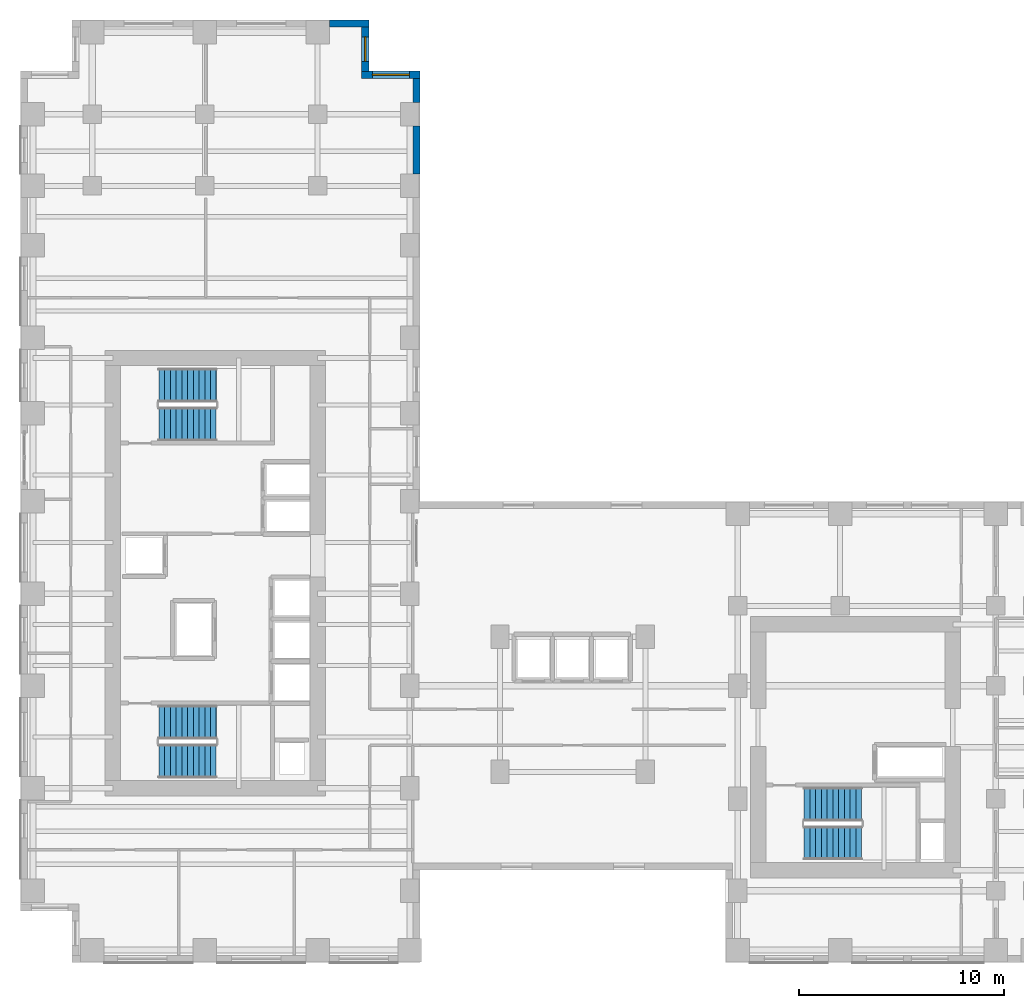
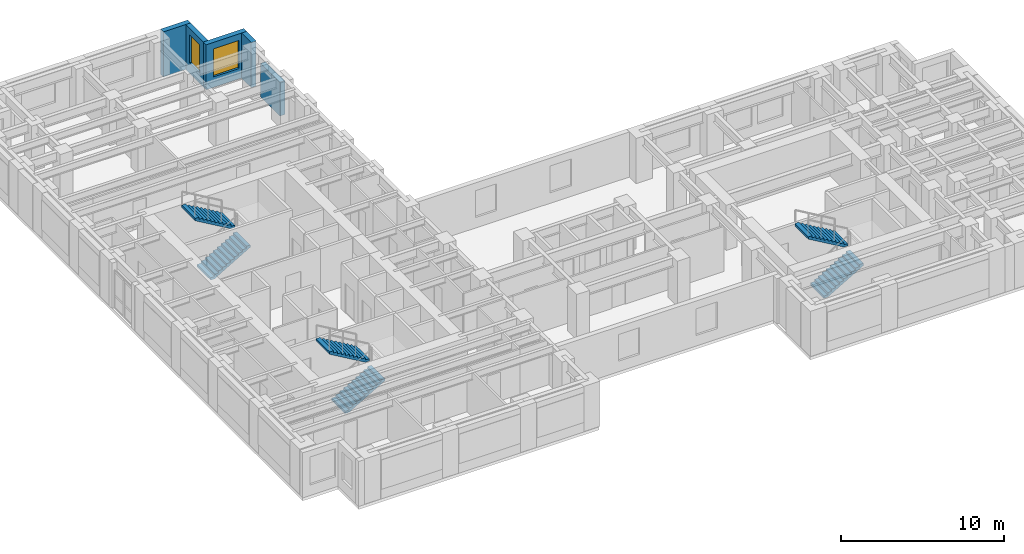
# One storey, part 12 of 14: 6 stair flights, 5 walls, 2 windows, 2 openings, 3 elements without a shape of their own.
"""IFC4 building model written with IfcOpenShell, lengths in metres."""

import ifcopenshell
import ifcopenshell.guid

model = None  # the IFC model being written
_history = None  # IfcOwnerHistory: only IFC2X3 demands one
_inside = {}  # id of a spatial element -> (the spatial element, [elements in it])
_under = {}  # id of a project, library or spatial element -> (it, [spatial elements below it])
_declared = {}  # id of a project -> (the project, [libraries it declares])
_typed = {}  # id of a type object -> (the type object, [elements of that type])
_made_of = {}  # id of a material, layer set ... -> (it, [elements and type objects made of it])


def new_model(schema):
    """Start an empty IFC model of exactly this schema.

    Asked for "IFC4X3", IfcOpenShell would pick the latest addendum, in which some entities
    have other attributes; the version numbers below select the first issue.
    IFC2X3 requires an IfcOwnerHistory on every rooted entity: one is made here for all.
    """
    global model, _history
    if schema == "IFC4X3":
        model = ifcopenshell.file(schema_version=(4, 3, 0, 0))
    else:
        model = ifcopenshell.file(schema=schema)
    _inside.clear()
    _under.clear()
    _declared.clear()
    _typed.clear()
    _made_of.clear()
    _history = None
    if model.schema == "IFC2X3":
        org = make("IfcOrganization", Name="unknown")
        user = make(
            "IfcPersonAndOrganization",
            ThePerson=make("IfcPerson", FamilyName="unknown"),
            TheOrganization=org,
        )
        app = make(
            "IfcApplication",
            ApplicationDeveloper=org,
            Version="unknown",
            ApplicationFullName="unknown",
            ApplicationIdentifier="unknown",
        )
        _history = make(
            "IfcOwnerHistory",
            OwningUser=user,
            OwningApplication=app,
            ChangeAction="ADDED",
            CreationDate=0,
        )
    return model


def make(cls, **values):
    """One entity of the class cls with the attributes given. An attribute that is None is left unset."""
    return model.create_entity(
        cls, **{name: value for name, value in values.items() if value is not None}
    )


def rooted(cls, **values):
    """An entity with a GlobalId (a new one), such as an element, a storey or a relation."""
    return make(cls, GlobalId=ifcopenshell.guid.new(), OwnerHistory=_history, **values)


def si_unit(unit_type, name, prefix=None):
    """IfcSIUnit, for example si_unit("LENGTHUNIT", "METRE", prefix="MILLI")."""
    return make("IfcSIUnit", UnitType=unit_type, Prefix=prefix, Name=name)


def assignment(units):
    """IfcUnitAssignment: the units of a project."""
    return None if units is None else make("IfcUnitAssignment", Units=units)


def point(xyz):
    """IfcCartesianPoint."""
    return None if xyz is None else make("IfcCartesianPoint", Coordinates=xyz)


def direction(xyz):
    """IfcDirection."""
    return None if xyz is None else make("IfcDirection", DirectionRatios=xyz)


def frame(location, z_axis=None, x_axis=None):
    """IfcAxis2Placement3D, a coordinate frame: its origin and axes. An axis left out is left unset."""
    return make(
        "IfcAxis2Placement3D",
        Location=point(location),
        Axis=direction(z_axis),
        RefDirection=direction(x_axis),
    )


def frame_2d(location, x_axis=None):
    """IfcAxis2Placement2D, a coordinate frame in the plane: its origin and x axis."""
    return make(
        "IfcAxis2Placement2D", Location=point(location), RefDirection=direction(x_axis)
    )


def origin():
    """The frame at (0, 0, 0) with its axes left unset."""
    return frame((0.0, 0.0, 0.0))


def place(relative_to, where):
    """IfcLocalPlacement: puts the frame where relative to a parent placement (None: the world)."""
    return make(
        "IfcLocalPlacement", PlacementRelTo=relative_to, RelativePlacement=where
    )


def context(
    kind, dimensions, precision=None, world=None, true_north=None, identifier=None
):
    """IfcGeometricRepresentationContext, for example the 3D "Model" context."""
    return make(
        "IfcGeometricRepresentationContext",
        ContextIdentifier=identifier,
        ContextType=kind,
        CoordinateSpaceDimension=dimensions,
        Precision=precision,
        WorldCoordinateSystem=world,
        TrueNorth=true_north,
    )


def subcontext(parent, identifier, kind, view, scale=None):
    """IfcGeometricRepresentationSubContext, for example "Body" below "Model"."""
    return make(
        "IfcGeometricRepresentationSubContext",
        ContextIdentifier=identifier,
        ContextType=kind,
        ParentContext=parent,
        TargetScale=scale,
        TargetView=view,
    )


def project(units=None, contexts=None):
    """IfcProject with its units and contexts."""
    return rooted(
        "IfcProject",
        Name="project",
        RepresentationContexts=contexts,
        UnitsInContext=assignment(units),
    )


def spatial(cls, under=None, at=None, **own):
    """A site, building, storey or space (cls), placed at a placement, below another one or the project."""
    s = rooted(cls, ObjectPlacement=at, **own)
    if under is not None:
        _under.setdefault(under.id(), (under, []))[1].append(s)
    return s


def polyline(points):
    """IfcPolyline through the points."""
    return make("IfcPolyline", Points=[point(p) for p in points])


def profile(cls, at=None, kind="AREA", **sizes):
    """A parametric profile (cls). Its sizes go by their IFC names, for example OverallWidth=200.0."""
    return make(cls, ProfileType=kind, Position=at, **sizes)


def rectangle(**sizes):
    """IfcRectangleProfileDef."""
    return profile("IfcRectangleProfileDef", **sizes)


def outline(outer, holes=None, kind="AREA"):
    """IfcArbitraryClosedProfileDef: a profile drawn as a closed curve; with holes, ...WithVoids."""
    if holes is None:
        return make("IfcArbitraryClosedProfileDef", ProfileType=kind, OuterCurve=outer)
    return make(
        "IfcArbitraryProfileDefWithVoids",
        ProfileType=kind,
        OuterCurve=outer,
        InnerCurves=holes,
    )


def extrude(swept, where, along, depth):
    """IfcExtrudedAreaSolid: the profile swept, set in the frame where, extruded along a direction by depth."""
    return make(
        "IfcExtrudedAreaSolid",
        SweptArea=swept,
        Position=where,
        ExtrudedDirection=direction(along),
        Depth=depth,
    )


def shape(context_of_items, identifier, shape_type, items):
    """IfcShapeRepresentation: the items that make up one representation, for example the "Body"."""
    return make(
        "IfcShapeRepresentation",
        ContextOfItems=context_of_items,
        RepresentationIdentifier=identifier,
        RepresentationType=shape_type,
        Items=items,
    )


def source(mapping_origin, context_of_items, identifier, shape_type, items):
    """IfcRepresentationMap: a shape defined once, which mapped items show again and again."""
    return make(
        "IfcRepresentationMap",
        MappingOrigin=mapping_origin,
        MappedRepresentation=shape(context_of_items, identifier, shape_type, items),
    )


def transform(
    local_origin,
    x_axis=None,
    y_axis=None,
    z_axis=None,
    scale=None,
    scale2=None,
    scale3=None,
    uniform=True,
):
    """IfcCartesianTransformationOperator3D, or its non-uniform kind. x_axis, y_axis, z_axis: its Axis1, 2, 3."""
    if uniform:
        return make(
            "IfcCartesianTransformationOperator3D",
            Axis1=direction(x_axis),
            Axis2=direction(y_axis),
            LocalOrigin=point(local_origin),
            Scale=scale,
            Axis3=direction(z_axis),
        )
    return make(
        "IfcCartesianTransformationOperator3DnonUniform",
        Axis1=direction(x_axis),
        Axis2=direction(y_axis),
        LocalOrigin=point(local_origin),
        Scale=scale,
        Axis3=direction(z_axis),
        Scale2=scale2,
        Scale3=scale3,
    )


def mapped(mapping_source, mapping_target):
    """IfcMappedItem: shows the shape of a source again, moved by a transform."""
    return make(
        "IfcMappedItem", MappingSource=mapping_source, MappingTarget=mapping_target
    )


def material(Name=None, Category=None):
    """IfcMaterial."""
    return make("IfcMaterial", Name=Name, Category=Category)


def layer(
    of_material, thickness, ventilated=None, Name=None, Category=None, Priority=None
):
    """IfcMaterialLayer: one layer of a wall or slab, of a material (None: an air gap)."""
    return make(
        "IfcMaterialLayer",
        Material=of_material,
        LayerThickness=thickness,
        IsVentilated=ventilated,
        Name=Name,
        Category=Category,
        Priority=Priority,
    )


def layer_set(layers, Name=None):
    """IfcMaterialLayerSet."""
    return make("IfcMaterialLayerSet", MaterialLayers=layers, LayerSetName=Name)


def made_of(thing, what):
    """Note that an element or type object is made of a material, layer set ...; save() writes the relation."""
    if what is not None:
        _made_of.setdefault(what.id(), (what, []))[1].append(thing)
    return thing


def type_object(cls, material=None, **own):
    """A type object (cls), such as IfcWallType, which elements share."""
    return made_of(rooted(cls, **own), material)


def element(
    cls,
    number,
    at=None,
    inside=None,
    cuts=None,
    type_object=None,
    material=None,
    context=None,
    identifier="Body",
    shape_type=None,
    held_by="IfcProductDefinitionShape",
    body=None,
    shapes=None,
    **own,
):
    """One element of the class cls, such as IfcWall. Its Tag is "e" and its number.

    at: its placement. inside: the storey or other place that contains it. cuts: it is an
    opening in that element (IfcRelVoidsElement). A single representation is given by context,
    identifier, shape_type and body (its items); several are given by shapes. held_by: the class
    of the entity that holds the representations. save() writes the other relations.
    """
    e = rooted(cls, Tag="e%d" % number, ObjectPlacement=at, **own)
    if body is not None:
        shapes = [shape(context, identifier, shape_type, body)]
    if shapes is not None:
        e.Representation = make(held_by, Representations=shapes)
    if inside is not None:
        _inside.setdefault(inside.id(), (inside, []))[1].append(e)
    if cuts is not None:
        rooted(
            "IfcRelVoidsElement", RelatingBuildingElement=cuts, RelatedOpeningElement=e
        )
    if type_object is not None:
        _typed.setdefault(type_object.id(), (type_object, []))[1].append(e)
    return made_of(e, material)


def fill(opening, filler):
    """IfcRelFillsElement: the door or window that sits in an opening."""
    return rooted(
        "IfcRelFillsElement",
        RelatingOpeningElement=opening,
        RelatedBuildingElement=filler,
    )


def aggregate(whole, parts):
    """IfcRelAggregates: a whole, such as a stair, and the parts it consists of."""
    return rooted("IfcRelAggregates", RelatingObject=whole, RelatedObjects=parts)


def save(model, path):
    """Write the relations noted so far, then the file.

    IfcRelAggregates (storeys below a building ...), IfcRelContainedInSpatialStructure (elements
    in a storey), IfcRelDefinesByType, IfcRelAssociatesMaterial and IfcRelDeclares: one each for
    every whole, place, type object, material and project.
    """
    for whole, parts in _under.values():
        aggregate(whole, parts)
    for where, things in _inside.values():
        rooted(
            "IfcRelContainedInSpatialStructure",
            RelatedElements=things,
            RelatingStructure=where,
        )
    for kind, things in _typed.values():
        rooted("IfcRelDefinesByType", RelatedObjects=things, RelatingType=kind)
    for what, things in _made_of.values():
        rooted("IfcRelAssociatesMaterial", RelatedObjects=things, RelatingMaterial=what)
    for by, libraries in _declared.values():
        rooted("IfcRelDeclares", RelatingContext=by, RelatedDefinitions=libraries)
    model.write(path)


model = new_model("IFC4")

# Units and contexts
model_context = context("Model", 3, precision=1e-05, world=origin(), true_north=direction((0.0, 1.0)))
body_context = subcontext(model_context, "Body", "Model", "MODEL_VIEW")
ifc_project = project(units=[si_unit("LENGTHUNIT", "METRE"), si_unit("AREAUNIT", "SQUARE_METRE"), si_unit("VOLUMEUNIT", "CUBIC_METRE"), si_unit("PLANEANGLEUNIT", "RADIAN"), si_unit("MASSUNIT", "GRAM", prefix="KILO")], contexts=[model_context])

# Site, building, storey
site_placement = place(None, origin())
site = spatial("IfcSite", under=ifc_project, at=site_placement, CompositionType="ELEMENT")
building_placement = place(site_placement, origin())
building = spatial("IfcBuilding", under=site, at=building_placement, Name="Kharzan Plaza Tower", CompositionType="ELEMENT")
storey_placement = place(building_placement, frame((0.0, 0.0, 81.0)))
storey = spatial("IfcBuildingStorey", under=building, at=storey_placement, Name="L21", CompositionType="ELEMENT", Elevation=81.0)

# Wall, opening, window
ifc_material_1 = material(Name="Concrete C40/50", Category="concrete")
ifc_layer = layer(ifc_material_1, 0.35009765625)
ifc_layer_set = layer_set([ifc_layer], Name="Concrete C40/50")
wall_type = type_object("IfcWallType", Name="WL-EXT-MAS-Z2", PredefinedType="SOLIDWALL", material=ifc_layer_set)
wall_1_placement = place(storey_placement, frame((19.5, 43.324951171875, 0.0), z_axis=(0.0, 0.0, 1.0), x_axis=(-1.0, 0.0, 0.0)))
wall_1 = element("IfcWall", 1, at=wall_1_placement, inside=storey, type_object=wall_type, Name="L21 Masonry-Frame Exterior Wall 01", PredefinedType="SOLIDWALL", context=body_context, shape_type="SweptSolid", body=[
    extrude(rectangle(XDim=2.85009765625, YDim=0.35009765625, at=frame_2d((1.425048828125, 0.0))), origin(), (0.0, 0.0, 1.0), 3.364990234375),
])
opening_1_placement = place(wall_1_placement, frame((0.52490234375, 0.0, 0.780029296875)))
opening_1 = element("IfcOpeningElement", 2, at=opening_1_placement, cuts=wall_1, Name="Opening W1", PredefinedType="OPENING", context=body_context, shape_type="SweptSolid", body=[
    extrude(rectangle(XDim=1.800048828125, YDim=2.10009765625, at=frame_2d((0.89990234375, 1.050048828125))), frame((0.0, 0.18505859375, 0.0), z_axis=(0.0, -1.0, 0.0), x_axis=(1.0, 0.0, 0.0)), (0.0, 0.0, 1.0), 0.3701171875),
])
ifc_material_2 = material(Name="Low-E Double Glazing", Category="glass")
window_type_1 = type_object("IfcWindowType", Name="WN-REC-1800x2100", PartitioningType="SINGLE_PANEL", PredefinedType="WINDOW", material=ifc_material_2)
shared_shape_1 = source(origin(), body_context, "Body", "SweptSolid", [
    extrude(rectangle(XDim=1.800048828125, YDim=2.10009765625, at=frame_2d((0.89990234375, 1.050048828125))), frame((0.0, 0.030029296875, 0.0), z_axis=(0.0, -1.0, 0.0), x_axis=(1.0, 0.0, 0.0)), (0.0, 0.0, 1.0), 0.06005859375),
])
window_1_placement = place(opening_1_placement, origin())
window_1 = element("IfcWindow", 3, at=window_1_placement, inside=storey, type_object=window_type_1, Name="L21 Recessed Solar-Control Window 01-1", OverallHeight=2.10009765625, OverallWidth=1.800048828125, PartitioningType="SINGLE_PANEL", PredefinedType="WINDOW", context=body_context, shape_type="MappedRepresentation", body=[
    mapped(shared_shape_1, transform((0.0, 0.0, 0.0), x_axis=(1.0, 0.0, 0.0), y_axis=(0.0, 1.0, 0.0), z_axis=(0.0, 0.0, 1.0))),
])
fill(opening_1, window_1)

wall_2_placement = place(storey_placement, frame((16.824951171875, 43.498046875, 0.0), z_axis=(0.0, 0.0, 1.0), x_axis=(0.0, 1.0, 0.0)))
wall_2 = element("IfcWall", 4, at=wall_2_placement, inside=storey, type_object=wall_type, Name="L21 Masonry-Frame Exterior Wall 02", PredefinedType="SOLIDWALL", context=body_context, shape_type="SweptSolid", body=[
    extrude(rectangle(XDim=2.154052734375, YDim=0.35009765625, at=frame_2d((1.0771484375, 0.0))), origin(), (0.0, 0.0, 1.0), 3.364990234375),
])
opening_2_placement = place(wall_2_placement, frame((0.47705078125, 0.0, 0.780029296875)))
opening_2 = element("IfcOpeningElement", 5, at=opening_2_placement, cuts=wall_2, Name="Opening W3", PredefinedType="OPENING", context=body_context, shape_type="SweptSolid", body=[
    extrude(rectangle(XDim=1.199951171875, YDim=2.10009765625, at=frame_2d((0.60009765625, 1.050048828125))), frame((0.0, 0.18505859375, 0.0), z_axis=(0.0, -1.0, 0.0), x_axis=(1.0, 0.0, 0.0)), (0.0, 0.0, 1.0), 0.3701171875),
])
window_type_2 = type_object("IfcWindowType", Name="WN-REC-1200x2100", PartitioningType="SINGLE_PANEL", PredefinedType="WINDOW", material=ifc_material_2)
shared_shape_2 = source(origin(), body_context, "Body", "SweptSolid", [
    extrude(rectangle(XDim=1.199951171875, YDim=2.10009765625, at=frame_2d((0.60009765625, 1.050048828125))), frame((0.0, 0.030029296875, 0.0), z_axis=(0.0, -1.0, 0.0), x_axis=(1.0, 0.0, 0.0)), (0.0, 0.0, 1.0), 0.06005859375),
])
window_2_placement = place(opening_2_placement, origin())
window_2 = element("IfcWindow", 6, at=window_2_placement, inside=storey, type_object=window_type_2, Name="L21 Recessed Solar-Control Window 02-1", OverallHeight=2.10009765625, OverallWidth=1.199951171875, PartitioningType="SINGLE_PANEL", PredefinedType="WINDOW", context=body_context, shape_type="MappedRepresentation", body=[
    mapped(shared_shape_2, transform((0.0, 0.0, 0.0), x_axis=(1.0, 0.0, 0.0), y_axis=(0.0, 1.0, 0.0), z_axis=(0.0, 0.0, 1.0))),
])
fill(opening_2, window_2)

# Walls
shared_shape_3 = source(origin(), body_context, "Body", "SweptSolid", [
    extrude(rectangle(XDim=1.927001953125, YDim=0.35009765625, at=frame_2d((0.96337890625, 0.0))), origin(), (0.0, 0.0, 1.0), 3.364990234375),
])
wall_3_placement = place(storey_placement, frame((17.0, 45.824951171875, 0.0), z_axis=(0.0, 0.0, 1.0), x_axis=(-1.0, 0.0, 0.0)))
element("IfcWall", 7, at=wall_3_placement, inside=storey, type_object=wall_type, Name="L21 Masonry-Frame Exterior Wall 03", PredefinedType="SOLIDWALL", context=body_context, shape_type="MappedRepresentation", body=[
    mapped(shared_shape_3, transform((0.0, 0.0, 0.0), x_axis=(1.0, 0.0, 0.0), y_axis=(0.0, 1.0, 0.0), z_axis=(0.0, 0.0, 1.0))),
])
shared_shape_4 = source(origin(), body_context, "Body", "SweptSolid", [
    extrude(rectangle(XDim=1.17919921875, YDim=0.35009765625, at=frame_2d((0.589599609375, 0.0))), origin(), (0.0, 0.0, 1.0), 3.364990234375),
])
wall_4_placement = place(storey_placement, frame((19.324951171875, 41.972900390625, 0.0), z_axis=(0.0, 0.0, 1.0), x_axis=(0.0, 1.0, 0.0)))
element("IfcWall", 8, at=wall_4_placement, inside=storey, type_object=wall_type, Name="L21 Masonry-Frame Exterior Wall 55", PredefinedType="SOLIDWALL", context=body_context, shape_type="MappedRepresentation", body=[
    mapped(shared_shape_4, transform((0.0, 0.0, 0.0), x_axis=(1.0, 0.0, 0.0), y_axis=(0.0, 1.0, 0.0), z_axis=(0.0, 0.0, 1.0))),
])
shared_shape_5 = source(origin(), body_context, "Body", "SweptSolid", [
    extrude(rectangle(XDim=2.35400390625, YDim=0.35009765625, at=frame_2d((1.177001953125, 0.0))), origin(), (0.0, 0.0, 1.0), 2.51904296875),
])
wall_5_placement = place(storey_placement, frame((19.324951171875, 38.472900390625, 0.0), z_axis=(0.0, 0.0, 1.0), x_axis=(0.0, 1.0, 0.0)))
element("IfcWall", 9, at=wall_5_placement, inside=storey, type_object=wall_type, Name="L21 Masonry-Frame Exterior Wall 54", PredefinedType="SOLIDWALL", context=body_context, shape_type="MappedRepresentation", body=[
    mapped(shared_shape_5, transform((0.0, 0.0, 0.0), x_axis=(1.0, 0.0, 0.0), y_axis=(0.0, 1.0, 0.0), z_axis=(0.0, 0.0, 1.0))),
])

# Stair, stair flights
stair_type_1 = type_object("IfcStairType", Name="STR-ST-1", PredefinedType="HALF_TURN_STAIR", material=ifc_material_1)
stair_1_placement = place(storey_placement, origin())
stair_1 = element("IfcStair", 10, at=stair_1_placement, inside=storey, type_object=stair_type_1, Name="L21 Protected Exit Stair ST-1", PredefinedType="HALF_TURN_STAIR")
stair_flight_type = type_object("IfcStairFlightType", Name="SFL-1650-R173", PredefinedType="STRAIGHT", material=ifc_material_1)
shared_shape_6 = source(origin(), body_context, "Body", "SweptSolid", [
    extrude(outline(polyline([(-0.0029296875, -0.011962890625), (-0.0029296875, 0.0), (0.0, 0.0), (0.0, 0.16357421875), (0.280029296875, 0.16357421875), (0.280029296875, 0.3271484375), (0.56005859375, 0.3271484375), (0.56005859375, 0.49072265625), (0.840087890625, 0.49072265625), (0.840087890625, 0.654296875), (1.1201171875, 0.654296875), (1.1201171875, 0.81787109375), (1.400146484375, 0.81787109375), (1.400146484375, 0.9814453125), (1.68017578125, 0.9814453125), (1.68017578125, 1.14501953125), (1.960205078125, 1.14501953125), (1.960205078125, 1.30859375), (2.240234375, 1.30859375), (2.240234375, 1.47216796875), (2.520263671875, 1.47216796875), (2.520263671875, 1.6357421875), (2.80029296875, 1.6357421875), (2.80029296875, 1.79931640625), (2.80029296875, 1.462158203125), (0.297119140625, 0.0), (0.297119140625, -0.011962890625), (-0.0029296875, -0.011962890625)])), frame((0.0, 0.824951171875, 0.0), z_axis=(0.0, -1.0, 0.0), x_axis=(1.0, 0.0, 0.0)), (0.0, 0.0, 1.0), 1.64990234375),
])
stair_flight_1_placement = place(storey_placement, frame((6.75, 9.824951171875, 0.0), z_axis=(0.0, 0.0, 1.0), x_axis=(1.0, 0.0, 0.0)))
stair_flight_1 = element("IfcStairFlight", 11, at=stair_flight_1_placement, type_object=stair_flight_type, Name="ST-1 flight 1", NumberOfRisers=11, NumberOfTreads=10, PredefinedType="STRAIGHT", RiserHeight=0.163636364, TreadLength=0.28, context=body_context, shape_type="MappedRepresentation", body=[
    mapped(shared_shape_6, transform((0.0, 0.0, 0.0), x_axis=(1.0, 0.0, 0.0), y_axis=(0.0, 1.0, 0.0), z_axis=(0.0, 0.0, 1.0))),
])
stair_flight_2_placement = place(storey_placement, frame((9.550048828125, 11.72509765625, 1.800048828125), z_axis=(0.0, 0.0, 1.0), x_axis=(-1.0, 0.0, 0.0)))
stair_flight_2 = element("IfcStairFlight", 12, at=stair_flight_2_placement, type_object=stair_flight_type, Name="ST-1 flight 2", NumberOfRisers=11, NumberOfTreads=10, PredefinedType="STRAIGHT", RiserHeight=0.163636364, TreadLength=0.28, context=body_context, shape_type="MappedRepresentation", body=[
    mapped(shared_shape_6, transform((0.0, 0.0, 0.0), x_axis=(1.0, 0.0, 0.0), y_axis=(0.0, 1.0, 0.0), z_axis=(0.0, 0.0, 1.0))),
])
aggregate(stair_1, [stair_flight_1, stair_flight_2])

stair_type_2 = type_object("IfcStairType", Name="STR-ST-2", PredefinedType="HALF_TURN_STAIR", material=ifc_material_1)
stair_2_placement = place(storey_placement, origin())
stair_2 = element("IfcStair", 13, at=stair_2_placement, inside=storey, type_object=stair_type_2, Name="L21 Protected Exit Stair ST-2", PredefinedType="HALF_TURN_STAIR")
stair_flight_3_placement = place(storey_placement, frame((6.75, 26.27490234375, 0.0), z_axis=(0.0, 0.0, 1.0), x_axis=(1.0, 0.0, 0.0)))
stair_flight_3 = element("IfcStairFlight", 14, at=stair_flight_3_placement, type_object=stair_flight_type, Name="ST-2 flight 1", NumberOfRisers=11, NumberOfTreads=10, PredefinedType="STRAIGHT", RiserHeight=0.163636364, TreadLength=0.28, context=body_context, shape_type="MappedRepresentation", body=[
    mapped(shared_shape_6, transform((0.0, 0.0, 0.0), x_axis=(1.0, 0.0, 0.0), y_axis=(0.0, 1.0, 0.0), z_axis=(0.0, 0.0, 1.0))),
])
stair_flight_4_placement = place(storey_placement, frame((9.550048828125, 28.175048828125, 1.800048828125), z_axis=(0.0, 0.0, 1.0), x_axis=(-1.0, 0.0, 0.0)))
stair_flight_4 = element("IfcStairFlight", 15, at=stair_flight_4_placement, type_object=stair_flight_type, Name="ST-2 flight 2", NumberOfRisers=11, NumberOfTreads=10, PredefinedType="STRAIGHT", RiserHeight=0.163636364, TreadLength=0.28, context=body_context, shape_type="MappedRepresentation", body=[
    mapped(shared_shape_6, transform((0.0, 0.0, 0.0), x_axis=(1.0, 0.0, 0.0), y_axis=(0.0, 1.0, 0.0), z_axis=(0.0, 0.0, 1.0))),
])
aggregate(stair_2, [stair_flight_3, stair_flight_4])

stair_type_3 = type_object("IfcStairType", Name="STR-ST-3", PredefinedType="HALF_TURN_STAIR", material=ifc_material_1)
stair_3_placement = place(storey_placement, origin())
stair_3 = element("IfcStair", 16, at=stair_3_placement, inside=storey, type_object=stair_type_3, Name="L21 Protected Exit Stair ST-3", PredefinedType="HALF_TURN_STAIR")
stair_flight_5_placement = place(storey_placement, frame((38.25, 5.824951171875, 0.0), z_axis=(0.0, 0.0, 1.0), x_axis=(1.0, 0.0, 0.0)))
stair_flight_5 = element("IfcStairFlight", 17, at=stair_flight_5_placement, type_object=stair_flight_type, Name="ST-3 flight 1", NumberOfRisers=11, NumberOfTreads=10, PredefinedType="STRAIGHT", RiserHeight=0.163636364, TreadLength=0.28, context=body_context, shape_type="MappedRepresentation", body=[
    mapped(shared_shape_6, transform((0.0, 0.0, 0.0), x_axis=(1.0, 0.0, 0.0), y_axis=(0.0, 1.0, 0.0), z_axis=(0.0, 0.0, 1.0))),
])
stair_flight_6_placement = place(storey_placement, frame((41.050048828125, 7.72509765625, 1.800048828125), z_axis=(0.0, 0.0, 1.0), x_axis=(-1.0, 0.0, 0.0)))
stair_flight_6 = element("IfcStairFlight", 18, at=stair_flight_6_placement, type_object=stair_flight_type, Name="ST-3 flight 2", NumberOfRisers=11, NumberOfTreads=10, PredefinedType="STRAIGHT", RiserHeight=0.163636364, TreadLength=0.28, context=body_context, shape_type="MappedRepresentation", body=[
    mapped(shared_shape_6, transform((0.0, 0.0, 0.0), x_axis=(1.0, 0.0, 0.0), y_axis=(0.0, 1.0, 0.0), z_axis=(0.0, 0.0, 1.0))),
])
aggregate(stair_3, [stair_flight_5, stair_flight_6])

save(model, "model.ifc")
